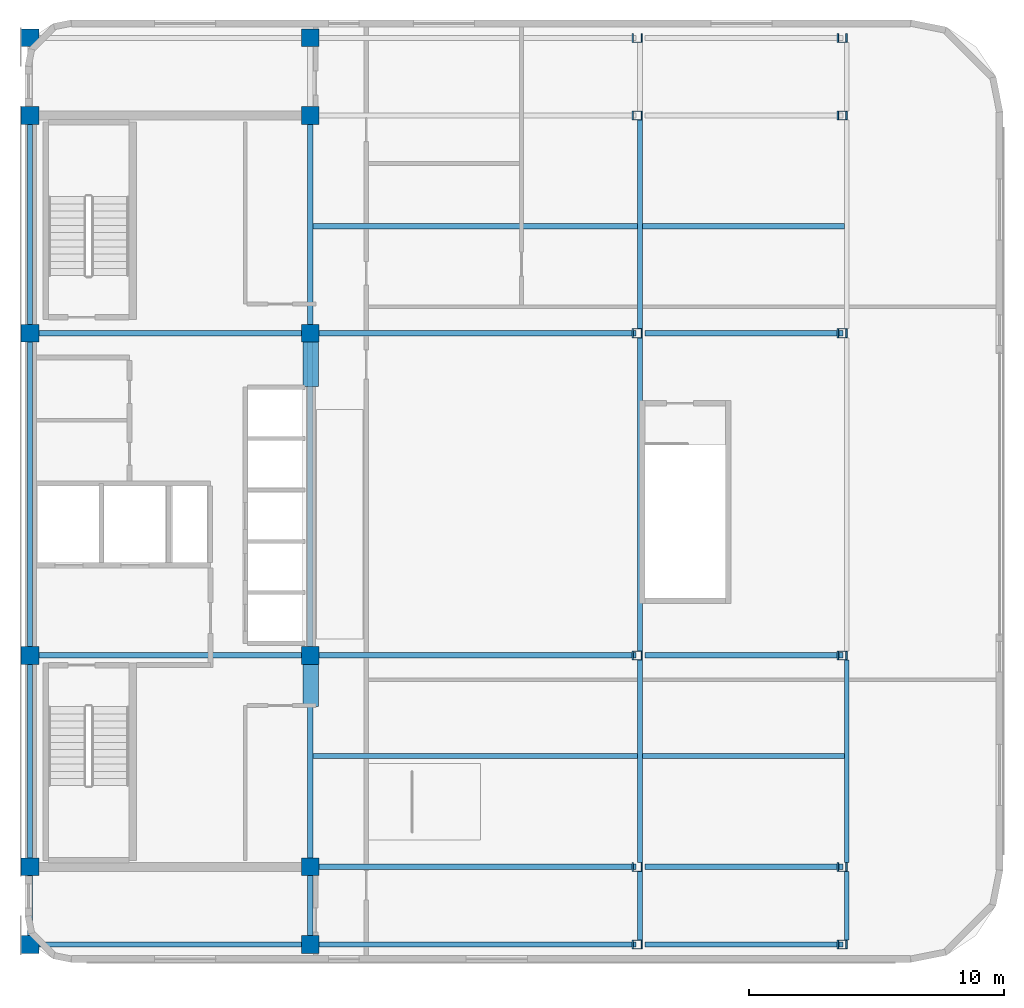
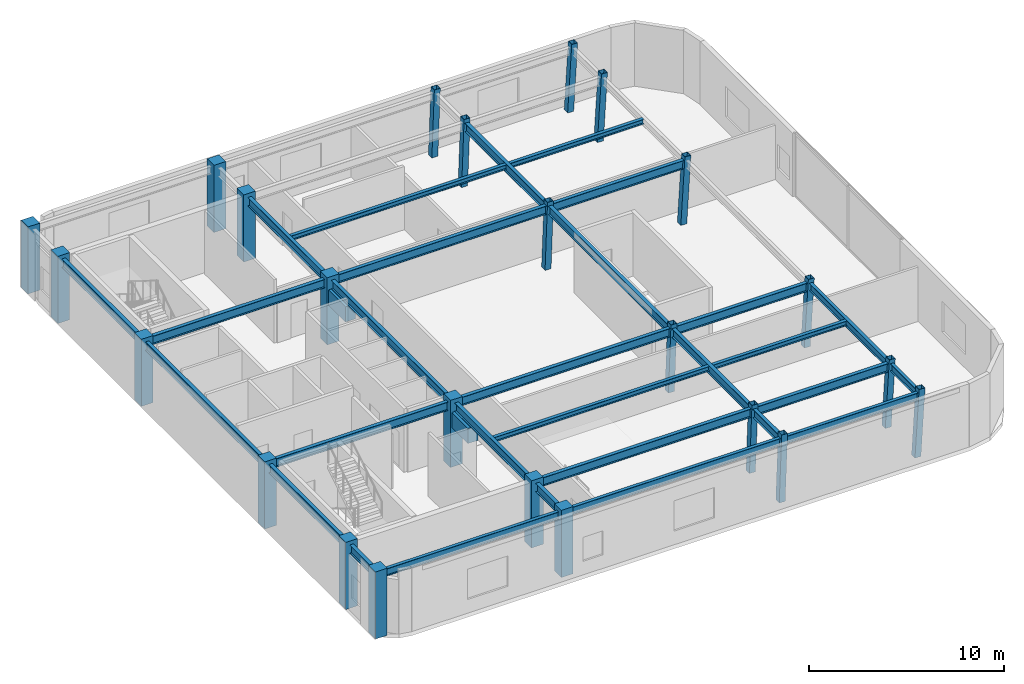
# One storey, part 1 of 8: 31 beams, 24 columns.
"""IFC4 building model written with IfcOpenShell, lengths in metres."""

from ifc_helpers import new_model, si_unit, direction, frame, origin, origin_2d, place, context, subcontext, project, spatial, rectangle, hollow_rectangle, i_section, extrude, material, material_profile, profile_set, type_object, element, save


model = new_model("IFC4")

# Units and contexts
model_context = context("Model", 3, precision=1e-05, world=origin(), true_north=direction((0.0, 1.0)))
body_context = subcontext(model_context, "Body", "Model", "MODEL_VIEW")
ifc_project = project(units=[si_unit("LENGTHUNIT", "METRE"), si_unit("AREAUNIT", "SQUARE_METRE"), si_unit("VOLUMEUNIT", "CUBIC_METRE"), si_unit("PLANEANGLEUNIT", "RADIAN"), si_unit("MASSUNIT", "GRAM", prefix="KILO")], contexts=[model_context])

# Site, building, storey
site_placement = place(None, origin())
site = spatial("IfcSite", under=ifc_project, at=site_placement, CompositionType="ELEMENT")
building_placement = place(site_placement, origin())
building = spatial("IfcBuilding", under=site, at=building_placement, Name="Ochreholt Gables", CompositionType="ELEMENT")
storey_placement = place(building_placement, frame((0.0, 0.0, 231.0)))
storey = spatial("IfcBuildingStorey", under=building, at=storey_placement, Name="L60", CompositionType="ELEMENT", Elevation=231.0)

# Columns
ifc_material_1 = material(Name="Steel CSA G40.21 350W", Category="steel")
ifc_material_profile_1 = material_profile(ifc_material_1, hollow_rectangle(XDim=0.35595703125, YDim=0.35595703125, WallThickness=0.01611328125, at=origin_2d()), Name="HSS356X356X16")
ifc_profile_set_1 = profile_set([ifc_material_profile_1], Name="Steel CSA G40.21 350W")
column_type_1 = type_object("IfcColumnType", Name="COL-HSS356-RAK", PredefinedType="COLUMN", material=ifc_profile_set_1)
for number, where, z_axis, x_axis, name in (
    (1, (48.02099609375, 9.25, 0.0), (0.034972489785, 0.0, 0.999388275376), (0.0, 1.0, 0.0), "L60 Column EMY2"),
    (2, (48.02099609375, 17.550048828125, 0.0), (0.034972489785, 0.0, 0.999388275376), (0.0, 1.0, 0.0), "L60 Column EMY3"),
    (3, (48.02099609375, 30.199951171875, 0.0), (0.034972489785, 0.0, 0.999388275376), (0.0, 1.0, 0.0), "L60 Column EMY4"),
    (4, (48.02099609375, 38.75, 0.0), (0.034972489785, 0.0, 0.999388275376), (0.0, 1.0, 0.0), "L60 Column EMY5"),
):
    element("IfcColumn", number, at=place(storey_placement, frame(where, z_axis=z_axis, x_axis=x_axis)), inside=storey, type_object=column_type_1, Name=name, PredefinedType="COLUMN", context=body_context, shape_type="SweptSolid", body=[
        extrude(hollow_rectangle(XDim=0.35595703125, YDim=0.35595703125, WallThickness=0.01611328125, at=origin_2d()), origin(), (0.0, 0.0, 1.0), 4.20263671875),
    ])
ifc_material_profile_2 = material_profile(ifc_material_1, hollow_rectangle(XDim=0.35595703125, YDim=0.35595703125, WallThickness=0.01611328125, at=origin_2d()), Name="HSS356X356X16")
ifc_profile_set_2 = profile_set([ifc_material_profile_2], Name="Steel CSA G40.21 350W")
column_type_2 = type_object("IfcColumnType", Name="COL-HSS356-RAKE", PredefinedType="COLUMN", material=ifc_profile_set_2)
for number, where, z_axis, x_axis, name in (
    (5, (48.02099609375, 6.199951171875, 0.0), (0.034972489785, 0.0, 0.999388275376), (0.0, 1.0, 0.0), "L60 Column EMY1"),
    (6, (48.02099609375, 41.800048828125, 0.0), (0.034972489785, 0.0, 0.999388275376), (0.0, 1.0, 0.0), "L60 Column EMY6"),
):
    element("IfcColumn", number, at=place(storey_placement, frame(where, z_axis=z_axis, x_axis=x_axis)), inside=storey, type_object=column_type_2, Name=name, PredefinedType="COLUMN", context=body_context, shape_type="SweptSolid", body=[
        extrude(hollow_rectangle(XDim=0.35595703125, YDim=0.35595703125, WallThickness=0.01611328125, at=origin_2d()), origin(), (0.0, 0.0, 1.0), 4.20263671875),
    ])
for number, where, z_axis, x_axis, name in (
    (7, (56.0546875, 6.199951171875, 0.0), (0.057915760662, 0.0, 0.998321473608), (0.0, 1.0, 0.0), "L60 Column EEY1"),
    (8, (56.0546875, 9.25, 0.0), (0.057915760662, 0.0, 0.998321473608), (0.0, 1.0, 0.0), "L60 Column EEY2"),
    (9, (56.0546875, 17.550048828125, 0.0), (0.057915760662, 0.0, 0.998321473608), (0.0, 1.0, 0.0), "L60 Column EEY3"),
    (10, (56.0546875, 30.199951171875, 0.0), (0.057915760662, 0.0, 0.998321473608), (0.0, 1.0, 0.0), "L60 Column EEY4"),
    (11, (56.0546875, 38.75, 0.0), (0.057915760662, 0.0, 0.998321473608), (0.0, 1.0, 0.0), "L60 Column EEY5"),
    (12, (56.0546875, 41.800048828125, 0.0), (0.057915760662, 0.0, 0.998321473608), (0.0, 1.0, 0.0), "L60 Column EEY6"),
):
    element("IfcColumn", number, at=place(storey_placement, frame(where, z_axis=z_axis, x_axis=x_axis)), inside=storey, type_object=column_type_2, Name=name, PredefinedType="COLUMN", context=body_context, shape_type="SweptSolid", body=[
        extrude(hollow_rectangle(XDim=0.35595703125, YDim=0.35595703125, WallThickness=0.01611328125, at=origin_2d()), origin(), (0.0, 0.0, 1.0), 4.20703125),
    ])
ifc_material_2 = material(Name="Concrete 50 MPa", Category="concrete")
ifc_material_profile_3 = material_profile(ifc_material_2, rectangle(XDim=0.699951171875, YDim=0.699951171875, at=origin_2d()), Name="RC700X700")
ifc_profile_set_3 = profile_set([ifc_material_profile_3], Name="Concrete 50 MPa")
column_type_3 = type_object("IfcColumnType", Name="COL-RC700-EXT", PredefinedType="COLUMN", material=ifc_profile_set_3)
for number, where, z_axis, x_axis, name in (
    (13, (24.199951171875, 6.199951171875, 0.0), (0.0, 0.0, 1.0), (1.0, 0.0, 0.0), "L60 Column C1Y1"),
    (14, (24.199951171875, 9.25, 0.0), (0.0, 0.0, 1.0), (1.0, 0.0, 0.0), "L60 Column C1Y2"),
    (15, (24.199951171875, 17.550048828125, 0.0), (0.0, 0.0, 1.0), (1.0, 0.0, 0.0), "L60 Column C1Y3"),
    (16, (24.199951171875, 30.199951171875, 0.0), (0.0, 0.0, 1.0), (1.0, 0.0, 0.0), "L60 Column C1Y4"),
    (17, (24.199951171875, 38.75, 0.0), (0.0, 0.0, 1.0), (1.0, 0.0, 0.0), "L60 Column C1Y5"),
    (18, (24.199951171875, 41.800048828125, 0.0), (0.0, 0.0, 1.0), (1.0, 0.0, 0.0), "L60 Column C1Y6"),
    (19, (35.199951171875, 6.199951171875, 0.0), (0.0, 0.0, 1.0), (1.0, 0.0, 0.0), "L60 Column C2Y1"),
    (20, (35.199951171875, 41.800048828125, 0.0), (0.0, 0.0, 1.0), (1.0, 0.0, 0.0), "L60 Column C2Y6"),
):
    element("IfcColumn", number, at=place(storey_placement, frame(where, z_axis=z_axis, x_axis=x_axis)), inside=storey, type_object=column_type_3, Name=name, PredefinedType="COLUMN", context=body_context, shape_type="SweptSolid", body=[
        extrude(rectangle(XDim=0.699951171875, YDim=0.699951171875, at=origin_2d()), origin(), (0.0, 0.0, 1.0), 4.199951171875),
    ])
ifc_material_profile_4 = material_profile(ifc_material_2, rectangle(XDim=0.699951171875, YDim=0.699951171875, at=origin_2d()), Name="RC700X700")
ifc_profile_set_4 = profile_set([ifc_material_profile_4], Name="Concrete 50 MPa")
column_type_4 = type_object("IfcColumnType", Name="COL-RC700-INT", PredefinedType="COLUMN", material=ifc_profile_set_4)
for number, where, z_axis, x_axis, name in (
    (21, (35.199951171875, 9.25, 0.0), (0.0, 0.0, 1.0), (1.0, 0.0, 0.0), "L60 Column C2Y2"),
    (22, (35.199951171875, 17.550048828125, 0.0), (0.0, 0.0, 1.0), (1.0, 0.0, 0.0), "L60 Column C2Y3"),
    (23, (35.199951171875, 30.199951171875, 0.0), (0.0, 0.0, 1.0), (1.0, 0.0, 0.0), "L60 Column C2Y4"),
    (24, (35.199951171875, 38.75, 0.0), (0.0, 0.0, 1.0), (1.0, 0.0, 0.0), "L60 Column C2Y5"),
):
    element("IfcColumn", number, at=place(storey_placement, frame(where, z_axis=z_axis, x_axis=x_axis)), inside=storey, type_object=column_type_4, Name=name, PredefinedType="COLUMN", context=body_context, shape_type="SweptSolid", body=[
        extrude(rectangle(XDim=0.699951171875, YDim=0.699951171875, at=origin_2d()), origin(), (0.0, 0.0, 1.0), 4.199951171875),
    ])

# Beams
ifc_material_3 = material(Name="Concrete 60 MPa", Category="concrete")
ifc_material_profile_5 = material_profile(ifc_material_3, rectangle(XDim=0.60009765625, YDim=0.949951171875, at=origin_2d()), Name="RCB600X950")
ifc_profile_set_5 = profile_set([ifc_material_profile_5], Name="Concrete 60 MPa")
beam_type_1 = type_object("IfcBeamType", Name="BM-CPL-RC600", PredefinedType="LINTEL", material=ifc_profile_set_5)
beam_1_placement = place(storey_placement, frame((35.22509765625, 15.550048828125, 2.946044921875), z_axis=(0.0, 1.0, 0.0), x_axis=(-1.0, 0.0, 0.0)))
element("IfcBeam", 25, at=beam_1_placement, inside=storey, type_object=beam_type_1, Name="L60 Core Coupling Lintel CPS", PredefinedType="LINTEL", context=body_context, shape_type="SweptSolid", body=[
    extrude(rectangle(XDim=0.60009765625, YDim=0.949951171875, at=origin_2d()), origin(), (0.0, 0.0, 1.0), 1.64990234375),
])
beam_2_placement = place(storey_placement, frame((35.22509765625, 28.10009765625, 2.946044921875), z_axis=(0.0, 1.0, 0.0), x_axis=(-1.0, 0.0, 0.0)))
element("IfcBeam", 26, at=beam_2_placement, inside=storey, type_object=beam_type_1, Name="L60 Core Coupling Lintel CPN", PredefinedType="LINTEL", context=body_context, shape_type="SweptSolid", body=[
    extrude(rectangle(XDim=0.60009765625, YDim=0.949951171875, at=origin_2d()), origin(), (0.0, 0.0, 1.0), 1.75),
])
ifc_material_profile_6 = material_profile(ifc_material_1, i_section(OverallWidth=0.2109375, OverallDepth=0.5390625, WebThickness=0.01171875, FlangeThickness=0.018798828125, at=origin_2d()), Name="W530X109")
ifc_profile_set_6 = profile_set([ifc_material_profile_6], Name="Steel CSA G40.21 350W")
beam_type_2 = type_object("IfcBeamType", Name="BM-G-W530A", PredefinedType="BEAM", material=ifc_profile_set_6)
beam_3_placement = place(storey_placement, frame((35.549560546875, 9.25, 3.6904296875), z_axis=(1.0, 0.0, 0.0), x_axis=(0.0, 1.0, 0.0)))
element("IfcBeam", 27, at=beam_3_placement, inside=storey, type_object=beam_type_2, Name="L60 Beam TBG-L60-C2EM-Y2", PredefinedType="BEAM", context=body_context, shape_type="SweptSolid", body=[
    extrude(i_section(OverallWidth=0.2109375, OverallDepth=0.5390625, WebThickness=0.01171875, FlangeThickness=0.018798828125, at=origin_2d()), origin(), (0.0, 0.0, 1.0), 12.44091796875),
])
beam_4_placement = place(storey_placement, frame((48.345703125, 9.25, 3.6904296875), z_axis=(1.0, 0.0, 0.0), x_axis=(0.0, 1.0, 0.0)))
element("IfcBeam", 28, at=beam_4_placement, inside=storey, type_object=beam_type_2, Name="L60 Beam TBG-L60-EMEE-Y2", PredefinedType="BEAM", context=body_context, shape_type="SweptSolid", body=[
    extrude(i_section(OverallWidth=0.2109375, OverallDepth=0.5390625, WebThickness=0.01171875, FlangeThickness=0.018798828125, at=origin_2d()), origin(), (0.0, 0.0, 1.0), 7.775146484375),
])
beam_5_placement = place(storey_placement, frame((24.549560546875, 17.550048828125, 3.6904296875), z_axis=(1.0, 0.0, 0.0), x_axis=(0.0, 1.0, 0.0)))
element("IfcBeam", 29, at=beam_5_placement, inside=storey, type_object=beam_type_2, Name="L60 Beam TBG-L60-C1C2-Y3", PredefinedType="BEAM", context=body_context, shape_type="SweptSolid", body=[
    extrude(i_section(OverallWidth=0.2109375, OverallDepth=0.5390625, WebThickness=0.01171875, FlangeThickness=0.018798828125, at=origin_2d()), origin(), (0.0, 0.0, 1.0), 10.30078125),
])
beam_6_placement = place(storey_placement, frame((35.549560546875, 17.550048828125, 3.6904296875), z_axis=(1.0, 0.0, 0.0), x_axis=(0.0, 1.0, 0.0)))
element("IfcBeam", 30, at=beam_6_placement, inside=storey, type_object=beam_type_2, Name="L60 Beam TBG-L60-C2EM-Y3", PredefinedType="BEAM", context=body_context, shape_type="SweptSolid", body=[
    extrude(i_section(OverallWidth=0.2109375, OverallDepth=0.5390625, WebThickness=0.01171875, FlangeThickness=0.018798828125, at=origin_2d()), origin(), (0.0, 0.0, 1.0), 12.44091796875),
])
beam_7_placement = place(storey_placement, frame((48.345703125, 17.550048828125, 3.6904296875), z_axis=(1.0, 0.0, 0.0), x_axis=(0.0, 1.0, 0.0)))
element("IfcBeam", 31, at=beam_7_placement, inside=storey, type_object=beam_type_2, Name="L60 Beam TBG-L60-EMEE-Y3", PredefinedType="BEAM", context=body_context, shape_type="SweptSolid", body=[
    extrude(i_section(OverallWidth=0.2109375, OverallDepth=0.5390625, WebThickness=0.01171875, FlangeThickness=0.018798828125, at=origin_2d()), origin(), (0.0, 0.0, 1.0), 7.775146484375),
])
beam_8_placement = place(storey_placement, frame((24.549560546875, 30.199951171875, 3.6904296875), z_axis=(1.0, 0.0, 0.0), x_axis=(0.0, 1.0, 0.0)))
element("IfcBeam", 32, at=beam_8_placement, inside=storey, type_object=beam_type_2, Name="L60 Beam TBG-L60-C1C2-Y4", PredefinedType="BEAM", context=body_context, shape_type="SweptSolid", body=[
    extrude(i_section(OverallWidth=0.2109375, OverallDepth=0.5390625, WebThickness=0.01171875, FlangeThickness=0.018798828125, at=origin_2d()), origin(), (0.0, 0.0, 1.0), 10.30078125),
])
beam_9_placement = place(storey_placement, frame((35.549560546875, 30.199951171875, 3.6904296875), z_axis=(1.0, 0.0, 0.0), x_axis=(0.0, 1.0, 0.0)))
element("IfcBeam", 33, at=beam_9_placement, inside=storey, type_object=beam_type_2, Name="L60 Beam TBG-L60-C2EM-Y4", PredefinedType="BEAM", context=body_context, shape_type="SweptSolid", body=[
    extrude(i_section(OverallWidth=0.2109375, OverallDepth=0.5390625, WebThickness=0.01171875, FlangeThickness=0.018798828125, at=origin_2d()), origin(), (0.0, 0.0, 1.0), 12.44091796875),
])
beam_10_placement = place(storey_placement, frame((48.345703125, 30.199951171875, 3.6904296875), z_axis=(1.0, 0.0, 0.0), x_axis=(0.0, 1.0, 0.0)))
element("IfcBeam", 34, at=beam_10_placement, inside=storey, type_object=beam_type_2, Name="L60 Beam TBG-L60-EMEE-Y4", PredefinedType="BEAM", context=body_context, shape_type="SweptSolid", body=[
    extrude(i_section(OverallWidth=0.2109375, OverallDepth=0.5390625, WebThickness=0.01171875, FlangeThickness=0.018798828125, at=origin_2d()), origin(), (0.0, 0.0, 1.0), 7.775146484375),
])
beam_11_placement = place(storey_placement, frame((24.199951171875, 6.549560546875, 3.6904296875), z_axis=(0.0, 1.0, 0.0), x_axis=(-1.0, 0.0, 0.0)))
element("IfcBeam", 35, at=beam_11_placement, inside=storey, type_object=beam_type_2, Name="L60 Beam TBN-L60-C1-Y1Y2", PredefinedType="BEAM", context=body_context, shape_type="SweptSolid", body=[
    extrude(i_section(OverallWidth=0.2109375, OverallDepth=0.5390625, WebThickness=0.01171875, FlangeThickness=0.018798828125, at=origin_2d()), origin(), (0.0, 0.0, 1.0), 2.350830078125),
])
beam_12_placement = place(storey_placement, frame((24.199951171875, 9.599609375, 3.6904296875), z_axis=(0.0, 1.0, 0.0), x_axis=(-1.0, 0.0, 0.0)))
element("IfcBeam", 36, at=beam_12_placement, inside=storey, type_object=beam_type_2, Name="L60 Beam TBN-L60-C1-Y2Y3", PredefinedType="BEAM", context=body_context, shape_type="SweptSolid", body=[
    extrude(i_section(OverallWidth=0.2109375, OverallDepth=0.5390625, WebThickness=0.01171875, FlangeThickness=0.018798828125, at=origin_2d()), origin(), (0.0, 0.0, 1.0), 7.600830078125),
])
beam_13_placement = place(storey_placement, frame((24.199951171875, 17.899658203125, 3.6904296875), z_axis=(0.0, 1.0, 0.0), x_axis=(-1.0, 0.0, 0.0)))
element("IfcBeam", 37, at=beam_13_placement, inside=storey, type_object=beam_type_2, Name="L60 Beam TBN-L60-C1-Y3Y4", PredefinedType="BEAM", context=body_context, shape_type="SweptSolid", body=[
    extrude(i_section(OverallWidth=0.2109375, OverallDepth=0.5390625, WebThickness=0.01171875, FlangeThickness=0.018798828125, at=origin_2d()), origin(), (0.0, 0.0, 1.0), 11.95068359375),
])
beam_14_placement = place(storey_placement, frame((24.199951171875, 30.549560546875, 3.6904296875), z_axis=(0.0, 1.0, 0.0), x_axis=(-1.0, 0.0, 0.0)))
element("IfcBeam", 38, at=beam_14_placement, inside=storey, type_object=beam_type_2, Name="L60 Beam TBN-L60-C1-Y4Y5", PredefinedType="BEAM", context=body_context, shape_type="SweptSolid", body=[
    extrude(i_section(OverallWidth=0.2109375, OverallDepth=0.5390625, WebThickness=0.01171875, FlangeThickness=0.018798828125, at=origin_2d()), origin(), (0.0, 0.0, 1.0), 7.850830078125),
])
beam_15_placement = place(storey_placement, frame((35.199951171875, 6.549560546875, 3.6904296875), z_axis=(0.0, 1.0, 0.0), x_axis=(-1.0, 0.0, 0.0)))
element("IfcBeam", 39, at=beam_15_placement, inside=storey, type_object=beam_type_2, Name="L60 Beam TBN-L60-C2-Y1Y2", PredefinedType="BEAM", context=body_context, shape_type="SweptSolid", body=[
    extrude(i_section(OverallWidth=0.2109375, OverallDepth=0.5390625, WebThickness=0.01171875, FlangeThickness=0.018798828125, at=origin_2d()), origin(), (0.0, 0.0, 1.0), 2.350830078125),
])
beam_16_placement = place(storey_placement, frame((35.199951171875, 9.599609375, 3.6904296875), z_axis=(0.0, 1.0, 0.0), x_axis=(-1.0, 0.0, 0.0)))
element("IfcBeam", 40, at=beam_16_placement, inside=storey, type_object=beam_type_2, Name="L60 Beam TBN-L60-C2-Y2Y3", PredefinedType="BEAM", context=body_context, shape_type="SweptSolid", body=[
    extrude(i_section(OverallWidth=0.2109375, OverallDepth=0.5390625, WebThickness=0.01171875, FlangeThickness=0.018798828125, at=origin_2d()), origin(), (0.0, 0.0, 1.0), 7.600830078125),
])
beam_17_placement = place(storey_placement, frame((35.199951171875, 17.899658203125, 3.6904296875), z_axis=(0.0, 1.0, 0.0), x_axis=(-1.0, 0.0, 0.0)))
element("IfcBeam", 41, at=beam_17_placement, inside=storey, type_object=beam_type_2, Name="L60 Beam TBN-L60-C2-Y3Y4", PredefinedType="BEAM", context=body_context, shape_type="SweptSolid", body=[
    extrude(i_section(OverallWidth=0.2109375, OverallDepth=0.5390625, WebThickness=0.01171875, FlangeThickness=0.018798828125, at=origin_2d()), origin(), (0.0, 0.0, 1.0), 11.95068359375),
])
beam_18_placement = place(storey_placement, frame((35.199951171875, 30.549560546875, 3.6904296875), z_axis=(0.0, 1.0, 0.0), x_axis=(-1.0, 0.0, 0.0)))
element("IfcBeam", 42, at=beam_18_placement, inside=storey, type_object=beam_type_2, Name="L60 Beam TBN-L60-C2-Y4Y5", PredefinedType="BEAM", context=body_context, shape_type="SweptSolid", body=[
    extrude(i_section(OverallWidth=0.2109375, OverallDepth=0.5390625, WebThickness=0.01171875, FlangeThickness=0.018798828125, at=origin_2d()), origin(), (0.0, 0.0, 1.0), 7.850830078125),
])
beam_19_placement = place(storey_placement, frame((48.15087890625, 6.377685546875, 3.6904296875), z_axis=(0.0, 1.0, 0.0), x_axis=(-1.0, 0.0, 0.0)))
element("IfcBeam", 43, at=beam_19_placement, inside=storey, type_object=beam_type_2, Name="L60 Beam TBN-L60-EM-Y1Y2", PredefinedType="BEAM", context=body_context, shape_type="SweptSolid", body=[
    extrude(i_section(OverallWidth=0.2109375, OverallDepth=0.5390625, WebThickness=0.01171875, FlangeThickness=0.018798828125, at=origin_2d()), origin(), (0.0, 0.0, 1.0), 2.69482421875),
])
beam_20_placement = place(storey_placement, frame((48.15087890625, 9.427490234375, 3.6904296875), z_axis=(0.0, 1.0, 0.0), x_axis=(-1.0, 0.0, 0.0)))
element("IfcBeam", 44, at=beam_20_placement, inside=storey, type_object=beam_type_2, Name="L60 Beam TBN-L60-EM-Y2Y3", PredefinedType="BEAM", context=body_context, shape_type="SweptSolid", body=[
    extrude(i_section(OverallWidth=0.2109375, OverallDepth=0.5390625, WebThickness=0.01171875, FlangeThickness=0.018798828125, at=origin_2d()), origin(), (0.0, 0.0, 1.0), 7.94482421875),
])
beam_21_placement = place(storey_placement, frame((48.15087890625, 17.7275390625, 3.6904296875), z_axis=(0.0, 1.0, 0.0), x_axis=(-1.0, 0.0, 0.0)))
element("IfcBeam", 45, at=beam_21_placement, inside=storey, type_object=beam_type_2, Name="L60 Beam TBN-L60-EM-Y3Y4", PredefinedType="BEAM", context=body_context, shape_type="SweptSolid", body=[
    extrude(i_section(OverallWidth=0.2109375, OverallDepth=0.5390625, WebThickness=0.01171875, FlangeThickness=0.018798828125, at=origin_2d()), origin(), (0.0, 0.0, 1.0), 12.294921875),
])
beam_22_placement = place(storey_placement, frame((48.15087890625, 30.377685546875, 3.6904296875), z_axis=(0.0, 1.0, 0.0), x_axis=(-1.0, 0.0, 0.0)))
element("IfcBeam", 46, at=beam_22_placement, inside=storey, type_object=beam_type_2, Name="L60 Beam TBN-L60-EM-Y4Y5", PredefinedType="BEAM", context=body_context, shape_type="SweptSolid", body=[
    extrude(i_section(OverallWidth=0.2109375, OverallDepth=0.5390625, WebThickness=0.01171875, FlangeThickness=0.018798828125, at=origin_2d()), origin(), (0.0, 0.0, 1.0), 8.19482421875),
])
ifc_material_profile_7 = material_profile(ifc_material_1, i_section(OverallWidth=0.202880859375, OverallDepth=0.302978515625, WebThickness=0.007568359375, FlangeThickness=0.01318359375, at=origin_2d()), Name="W310X60")
ifc_profile_set_7 = profile_set([ifc_material_profile_7], Name="Steel CSA G40.21 350W")
beam_type_3 = type_object("IfcBeamType", Name="BM-J-W310", PredefinedType="JOIST", material=ifc_profile_set_7)
beam_23_placement = place(storey_placement, frame((35.30517578125, 13.60009765625, 3.80859375), z_axis=(1.0, 0.0, 0.0), x_axis=(0.0, 1.0, 0.0)))
element("IfcBeam", 47, at=beam_23_placement, inside=storey, type_object=beam_type_3, Name="L60 Beam TBJ-L60-J1-C2EM", PredefinedType="JOIST", context=body_context, shape_type="SweptSolid", body=[
    extrude(i_section(OverallWidth=0.202880859375, OverallDepth=0.302978515625, WebThickness=0.007568359375, FlangeThickness=0.01318359375, at=origin_2d()), origin(), (0.0, 0.0, 1.0), 12.740478515625),
])
beam_24_placement = place(storey_placement, frame((48.255859375, 13.60009765625, 3.80859375), z_axis=(1.0, 0.0, 0.0), x_axis=(0.0, 1.0, 0.0)))
element("IfcBeam", 48, at=beam_24_placement, inside=storey, type_object=beam_type_3, Name="L60 Beam TBJ-L60-J1-EMEE", PredefinedType="JOIST", context=body_context, shape_type="SweptSolid", body=[
    extrude(i_section(OverallWidth=0.202880859375, OverallDepth=0.302978515625, WebThickness=0.007568359375, FlangeThickness=0.01318359375, at=origin_2d()), origin(), (0.0, 0.0, 1.0), 7.91845703125),
])
beam_25_placement = place(storey_placement, frame((35.30517578125, 34.39990234375, 3.80859375), z_axis=(1.0, 0.0, 0.0), x_axis=(0.0, 1.0, 0.0)))
element("IfcBeam", 49, at=beam_25_placement, inside=storey, type_object=beam_type_3, Name="L60 Beam TBJ-L60-J2-C2EM", PredefinedType="JOIST", context=body_context, shape_type="SweptSolid", body=[
    extrude(i_section(OverallWidth=0.202880859375, OverallDepth=0.302978515625, WebThickness=0.007568359375, FlangeThickness=0.01318359375, at=origin_2d()), origin(), (0.0, 0.0, 1.0), 12.740478515625),
])
beam_26_placement = place(storey_placement, frame((48.255859375, 34.39990234375, 3.80859375), z_axis=(1.0, 0.0, 0.0), x_axis=(0.0, 1.0, 0.0)))
element("IfcBeam", 50, at=beam_26_placement, inside=storey, type_object=beam_type_3, Name="L60 Beam TBJ-L60-J2-EMEE", PredefinedType="JOIST", context=body_context, shape_type="SweptSolid", body=[
    extrude(i_section(OverallWidth=0.202880859375, OverallDepth=0.302978515625, WebThickness=0.007568359375, FlangeThickness=0.01318359375, at=origin_2d()), origin(), (0.0, 0.0, 1.0), 7.91845703125),
])
ifc_material_profile_8 = material_profile(ifc_material_1, i_section(OverallWidth=0.19189453125, OverallDepth=0.462890625, WebThickness=0.010498046875, FlangeThickness=0.017578125, at=origin_2d()), Name="W460X89")
ifc_profile_set_8 = profile_set([ifc_material_profile_8], Name="Steel CSA G40.21 350W")
beam_type_4 = type_object("IfcBeamType", Name="BM-SP-W460A", PredefinedType="SPANDREL", material=ifc_profile_set_8)
beam_27_placement = place(storey_placement, frame((24.549560546875, 6.199951171875, 3.728515625), z_axis=(1.0, 0.0, 0.0), x_axis=(0.0, 1.0, 0.0)))
element("IfcBeam", 51, at=beam_27_placement, inside=storey, type_object=beam_type_4, Name="L60 Beam TBG-L60-C1C2-Y1", PredefinedType="SPANDREL", context=body_context, shape_type="SweptSolid", body=[
    extrude(i_section(OverallWidth=0.19189453125, OverallDepth=0.462890625, WebThickness=0.010498046875, FlangeThickness=0.017578125, at=origin_2d()), origin(), (0.0, 0.0, 1.0), 10.30078125),
])
beam_28_placement = place(storey_placement, frame((35.549560546875, 6.199951171875, 3.728515625), z_axis=(1.0, 0.0, 0.0), x_axis=(0.0, 1.0, 0.0)))
element("IfcBeam", 52, at=beam_28_placement, inside=storey, type_object=beam_type_4, Name="L60 Beam TBG-L60-C2EM-Y1", PredefinedType="SPANDREL", context=body_context, shape_type="SweptSolid", body=[
    extrude(i_section(OverallWidth=0.19189453125, OverallDepth=0.462890625, WebThickness=0.010498046875, FlangeThickness=0.017578125, at=origin_2d()), origin(), (0.0, 0.0, 1.0), 12.44091796875),
])
beam_29_placement = place(storey_placement, frame((48.345703125, 6.199951171875, 3.728515625), z_axis=(1.0, 0.0, 0.0), x_axis=(0.0, 1.0, 0.0)))
element("IfcBeam", 53, at=beam_29_placement, inside=storey, type_object=beam_type_4, Name="L60 Beam TBG-L60-EMEE-Y1", PredefinedType="SPANDREL", context=body_context, shape_type="SweptSolid", body=[
    extrude(i_section(OverallWidth=0.19189453125, OverallDepth=0.462890625, WebThickness=0.010498046875, FlangeThickness=0.017578125, at=origin_2d()), origin(), (0.0, 0.0, 1.0), 7.775146484375),
])
beam_30_placement = place(storey_placement, frame((56.27001953125, 6.377685546875, 3.728515625), z_axis=(0.0, 1.0, 0.0), x_axis=(-1.0, 0.0, 0.0)))
element("IfcBeam", 54, at=beam_30_placement, inside=storey, type_object=beam_type_4, Name="L60 Beam TBN-L60-EE-Y1Y2", PredefinedType="SPANDREL", context=body_context, shape_type="SweptSolid", body=[
    extrude(i_section(OverallWidth=0.19189453125, OverallDepth=0.462890625, WebThickness=0.010498046875, FlangeThickness=0.017578125, at=origin_2d()), origin(), (0.0, 0.0, 1.0), 2.69482421875),
])
beam_31_placement = place(storey_placement, frame((56.27001953125, 9.427490234375, 3.728515625), z_axis=(0.0, 1.0, 0.0), x_axis=(-1.0, 0.0, 0.0)))
element("IfcBeam", 55, at=beam_31_placement, inside=storey, type_object=beam_type_4, Name="L60 Beam TBN-L60-EE-Y2Y3", PredefinedType="SPANDREL", context=body_context, shape_type="SweptSolid", body=[
    extrude(i_section(OverallWidth=0.19189453125, OverallDepth=0.462890625, WebThickness=0.010498046875, FlangeThickness=0.017578125, at=origin_2d()), origin(), (0.0, 0.0, 1.0), 7.94482421875),
])

save(model, "model.ifc")
